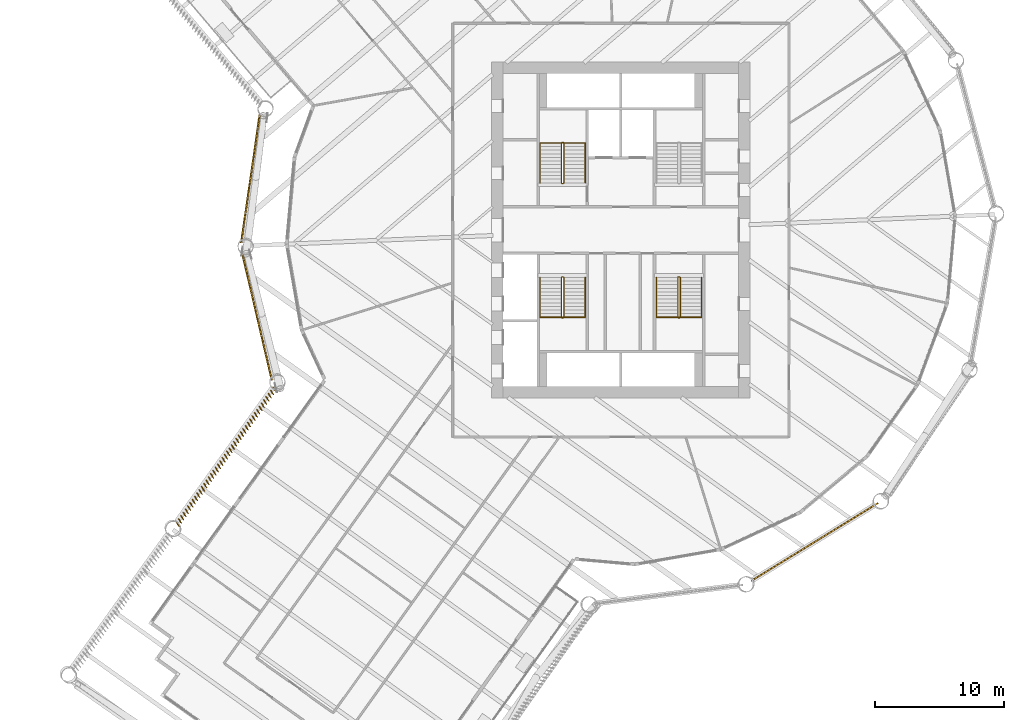
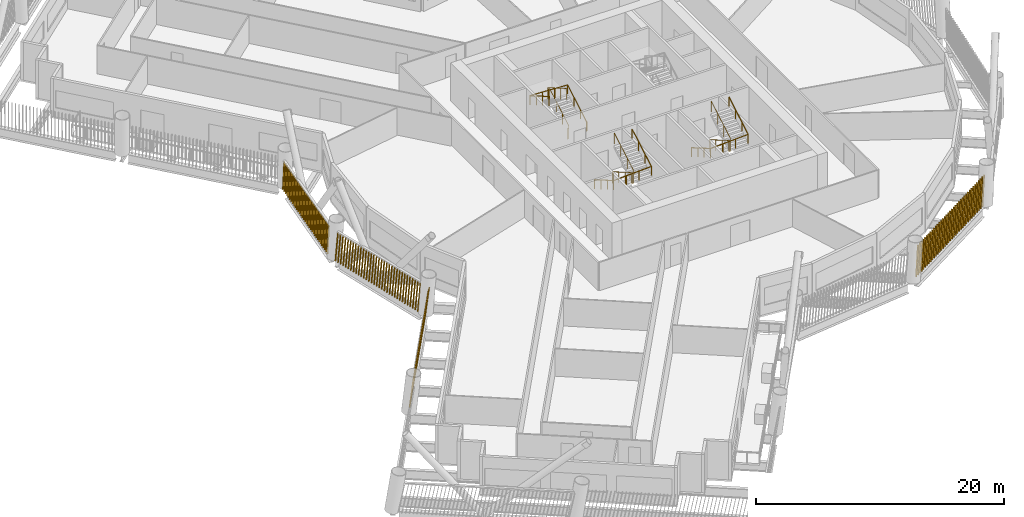
# One storey, part 18 of 21: 6 railings, 4 shading devices.
"""IFC4 building model written with IfcOpenShell, lengths in metres."""

from ifc_helpers import new_model, si_unit, direction, frame, frame_2d, origin, origin_2d, place, context, subcontext, project, spatial, rectangle, circle, composite_profile, extrude, material, type_object, element, save


model = new_model("IFC4")

# Units and contexts
model_context = context("Model", 3, precision=1e-05, world=origin(), true_north=direction((0.0, 1.0)))
body_context = subcontext(model_context, "Body", "Model", "MODEL_VIEW")
ifc_project = project(units=[si_unit("LENGTHUNIT", "METRE"), si_unit("AREAUNIT", "SQUARE_METRE"), si_unit("VOLUMEUNIT", "CUBIC_METRE"), si_unit("PLANEANGLEUNIT", "RADIAN"), si_unit("MASSUNIT", "GRAM", prefix="KILO")], contexts=[model_context])

# Site, building, storey
site_placement = place(None, origin())
site = spatial("IfcSite", under=ifc_project, at=site_placement, CompositionType="ELEMENT")
building_placement = place(site_placement, origin())
building = spatial("IfcBuilding", under=site, at=building_placement, Name="Tarsis Ring Headquarters", CompositionType="ELEMENT")
storey_placement = place(building_placement, frame((0.0, 0.0, 47.800048828125)))
storey = spatial("IfcBuildingStorey", under=building, at=storey_placement, Name="L09", CompositionType="ELEMENT", Elevation=47.800048828125)

# Railings
ifc_material_1 = material(Name="Steel S355", Category="steel")
railing_type_1 = type_object("IfcRailingType", Name="Core stair guard 1100", PredefinedType="GUARDRAIL", material=ifc_material_1)
railing_1_placement = place(storey_placement, frame((-4.5400390625, 3.610107421875, 0.0)))
element("IfcRailing", 1, at=railing_1_placement, inside=storey, type_object=railing_type_1, Name="L09 ST1 stair guard 1", PredefinedType="GUARDRAIL", context=body_context, shape_type="SweptSolid", body=[
    extrude(circle(Radius=0.02392578125, at=origin_2d()), frame((0.0, 0.0, 1.076171875), z_axis=(1.0, 0.0, 0.0), x_axis=(0.0, 1.0, 0.0)), (0.0, 0.0, 1.0), 0.080078125),
    extrude(circle(Radius=0.02392578125, at=origin_2d()), frame((0.080078125, 0.0, 1.076171875), z_axis=(0.282693820306, 0.281314826061, 0.917031173188), x_axis=(-0.705375805398, 0.708833529934, 0.0)), (0.0, 0.0, 1.0), 0.177001953125),
    extrude(circle(Radius=0.02392578125, at=origin_2d()), frame((0.130126953125, 0.0498046875, 1.23828125), z_axis=(0.0, 0.864890721111, 0.501960198159), x_axis=(-1.0, 0.0, 0.0)), (0.0, 0.0, 1.0), 3.561279296875),
    extrude(circle(Radius=0.02392578125, at=origin_2d()), frame((0.130126953125, 3.1298828125, 3.02587890625), z_axis=(-0.707106781187, 0.707106781187, 0.0), x_axis=(-0.707106781187, -0.707106781187, 0.0)), (0.0, 0.0, 1.0), 0.07080078125),
    extrude(circle(Radius=0.02392578125, at=origin_2d()), frame((0.080078125, 3.179931640625, 3.02587890625), z_axis=(-1.0, 0.0, 0.0), x_axis=(0.0, -1.0, 0.0)), (0.0, 0.0, 1.0), 0.080078125),
    extrude(circle(Radius=0.02392578125, at=origin_2d()), frame((0.0, 3.179931640625, 3.02587890625), z_axis=(-0.282227285176, -0.282227285176, 0.916894497205), x_axis=(0.707106781187, -0.707106781187, 0.0)), (0.0, 0.0, 1.0), 0.17724609375),
    extrude(circle(Radius=0.02392578125, at=origin_2d()), frame((-0.050048828125, 3.1298828125, 3.1884765625), z_axis=(0.0, -0.864920483161, 0.501908913857), x_axis=(1.0, 0.0, 0.0)), (0.0, 0.0, 1.0), 3.56103515625),
    extrude(circle(Radius=0.02099609375, at=origin_2d()), origin(), (0.0, 0.0, 1.0), 1.052001953125),
    extrude(circle(Radius=0.02099609375, at=origin_2d()), frame((0.080078125, 0.0, 0.0)), (0.0, 0.0, 1.0), 1.052001953125),
    extrude(circle(Radius=0.02099609375, at=origin_2d()), frame((0.130126953125, 0.0498046875, 0.162353515625)), (0.0, 0.0, 1.0), 1.052001953125),
    extrude(circle(Radius=0.02099609375, at=origin_2d()), frame((0.130126953125, 1.076416015625, 0.75830078125)), (0.0, 0.0, 1.0), 1.052001953125),
    extrude(circle(Radius=0.02099609375, at=origin_2d()), frame((0.130126953125, 2.103271484375, 1.35400390625)), (0.0, 0.0, 1.0), 1.052001953125),
    extrude(circle(Radius=0.02099609375, at=origin_2d()), frame((0.130126953125, 3.1298828125, 1.949951171875)), (0.0, 0.0, 1.0), 1.052001953125),
    extrude(circle(Radius=0.02099609375, at=origin_2d()), frame((0.080078125, 3.179931640625, 1.949951171875)), (0.0, 0.0, 1.0), 1.052001953125),
    extrude(circle(Radius=0.02099609375, at=origin_2d()), frame((0.0, 3.179931640625, 1.949951171875)), (0.0, 0.0, 1.0), 1.052001953125),
    extrude(circle(Radius=0.02099609375, at=origin_2d()), frame((-0.050048828125, 3.1298828125, 2.112548828125)), (0.0, 0.0, 1.0), 1.052001953125),
    extrude(circle(Radius=0.02099609375, at=origin_2d()), frame((-0.050048828125, 2.103271484375, 2.708251953125)), (0.0, 0.0, 1.0), 1.052001953125),
    extrude(circle(Radius=0.02099609375, at=origin_2d()), frame((-0.050048828125, 1.076416015625, 3.30419921875)), (0.0, 0.0, 1.0), 1.052001953125),
    extrude(circle(Radius=0.02099609375, at=origin_2d()), frame((-0.050048828125, 0.0498046875, 3.89990234375)), (0.0, 0.0, 1.0), 1.052001953125),
])
railing_2_placement = place(storey_placement, frame((-4.4599609375, -3.610107421875, 0.0)))
element("IfcRailing", 2, at=railing_2_placement, inside=storey, type_object=railing_type_1, Name="L09 ST3 stair guard 1", PredefinedType="GUARDRAIL", context=body_context, shape_type="SweptSolid", body=[
    extrude(circle(Radius=0.02392578125, at=origin_2d()), frame((0.0, 0.0, 1.076171875), z_axis=(-1.0, 0.0, 0.0), x_axis=(0.0, -1.0, 0.0)), (0.0, 0.0, 1.0), 0.080078125),
    extrude(circle(Radius=0.02392578125, at=origin_2d()), frame((-0.080078125, 0.0, 1.076171875), z_axis=(-0.282693820306, -0.281314826061, 0.917031173188), x_axis=(0.705375805398, -0.708833529934, 0.0)), (0.0, 0.0, 1.0), 0.177001953125),
    extrude(circle(Radius=0.02392578125, at=origin_2d()), frame((-0.130126953125, -0.0498046875, 1.23828125), z_axis=(0.0, -0.864890721111, 0.501960198159), x_axis=(1.0, 0.0, 0.0)), (0.0, 0.0, 1.0), 3.561279296875),
    extrude(circle(Radius=0.02392578125, at=origin_2d()), frame((-0.130126953125, -3.1298828125, 3.02587890625), z_axis=(0.707106781187, -0.707106781187, 0.0), x_axis=(0.707106781187, 0.707106781187, 0.0)), (0.0, 0.0, 1.0), 0.07080078125),
    extrude(circle(Radius=0.02392578125, at=origin_2d()), frame((-0.080078125, -3.179931640625, 3.02587890625), z_axis=(1.0, 0.0, 0.0), x_axis=(0.0, 1.0, 0.0)), (0.0, 0.0, 1.0), 0.080078125),
    extrude(circle(Radius=0.02392578125, at=origin_2d()), frame((0.0, -3.179931640625, 3.02587890625), z_axis=(0.282227285176, 0.282227285176, 0.916894497205), x_axis=(-0.707106781187, 0.707106781187, 0.0)), (0.0, 0.0, 1.0), 0.17724609375),
    extrude(circle(Radius=0.02392578125, at=origin_2d()), frame((0.050048828125, -3.1298828125, 3.1884765625), z_axis=(0.0, 0.864920483161, 0.501908913857), x_axis=(-1.0, 0.0, 0.0)), (0.0, 0.0, 1.0), 3.56103515625),
    extrude(circle(Radius=0.02099609375, at=origin_2d()), origin(), (0.0, 0.0, 1.0), 1.052001953125),
    extrude(circle(Radius=0.02099609375, at=origin_2d()), frame((-0.080078125, 0.0, 0.0)), (0.0, 0.0, 1.0), 1.052001953125),
    extrude(circle(Radius=0.02099609375, at=origin_2d()), frame((-0.130126953125, -0.0498046875, 0.162353515625)), (0.0, 0.0, 1.0), 1.052001953125),
    extrude(circle(Radius=0.02099609375, at=origin_2d()), frame((-0.130126953125, -1.076416015625, 0.75830078125)), (0.0, 0.0, 1.0), 1.052001953125),
    extrude(circle(Radius=0.02099609375, at=origin_2d()), frame((-0.130126953125, -2.103271484375, 1.35400390625)), (0.0, 0.0, 1.0), 1.052001953125),
    extrude(circle(Radius=0.02099609375, at=origin_2d()), frame((-0.130126953125, -3.1298828125, 1.949951171875)), (0.0, 0.0, 1.0), 1.052001953125),
    extrude(circle(Radius=0.02099609375, at=origin_2d()), frame((-0.080078125, -3.179931640625, 1.949951171875)), (0.0, 0.0, 1.0), 1.052001953125),
    extrude(circle(Radius=0.02099609375, at=origin_2d()), frame((0.0, -3.179931640625, 1.949951171875)), (0.0, 0.0, 1.0), 1.052001953125),
    extrude(circle(Radius=0.02099609375, at=origin_2d()), frame((0.050048828125, -3.1298828125, 2.112548828125)), (0.0, 0.0, 1.0), 1.052001953125),
    extrude(circle(Radius=0.02099609375, at=origin_2d()), frame((0.050048828125, -2.103271484375, 2.708251953125)), (0.0, 0.0, 1.0), 1.052001953125),
    extrude(circle(Radius=0.02099609375, at=origin_2d()), frame((0.050048828125, -1.076416015625, 3.30419921875)), (0.0, 0.0, 1.0), 1.052001953125),
    extrude(circle(Radius=0.02099609375, at=origin_2d()), frame((0.050048828125, -0.0498046875, 3.89990234375)), (0.0, 0.0, 1.0), 1.052001953125),
])
railing_3_placement = place(storey_placement, frame((4.5400390625, -3.610107421875, 0.0)))
element("IfcRailing", 3, at=railing_3_placement, inside=storey, type_object=railing_type_1, Name="L09 ST4 stair guard 1", PredefinedType="GUARDRAIL", context=body_context, shape_type="SweptSolid", body=[
    extrude(circle(Radius=0.02392578125, at=origin_2d()), frame((0.0, 0.0, 1.076171875), z_axis=(-1.0, 0.0, 0.0), x_axis=(0.0, -1.0, 0.0)), (0.0, 0.0, 1.0), 0.080078125),
    extrude(circle(Radius=0.02392578125, at=origin_2d()), frame((-0.080078125, 0.0, 1.076171875), z_axis=(-0.282693820306, -0.281314826061, 0.917031173188), x_axis=(0.705375805398, -0.708833529934, 0.0)), (0.0, 0.0, 1.0), 0.177001953125),
    extrude(circle(Radius=0.02392578125, at=origin_2d()), frame((-0.130126953125, -0.0498046875, 1.23828125), z_axis=(0.0, -0.864890721111, 0.501960198159), x_axis=(1.0, 0.0, 0.0)), (0.0, 0.0, 1.0), 3.561279296875),
    extrude(circle(Radius=0.02392578125, at=origin_2d()), frame((-0.130126953125, -3.1298828125, 3.02587890625), z_axis=(0.707106781187, -0.707106781187, 0.0), x_axis=(0.707106781187, 0.707106781187, 0.0)), (0.0, 0.0, 1.0), 0.07080078125),
    extrude(circle(Radius=0.02392578125, at=origin_2d()), frame((-0.080078125, -3.179931640625, 3.02587890625), z_axis=(1.0, 0.0, 0.0), x_axis=(0.0, 1.0, 0.0)), (0.0, 0.0, 1.0), 0.080078125),
    extrude(circle(Radius=0.02392578125, at=origin_2d()), frame((0.0, -3.179931640625, 3.02587890625), z_axis=(0.282227285176, 0.282227285176, 0.916894497205), x_axis=(-0.707106781187, 0.707106781187, 0.0)), (0.0, 0.0, 1.0), 0.17724609375),
    extrude(circle(Radius=0.02392578125, at=origin_2d()), frame((0.050048828125, -3.1298828125, 3.1884765625), z_axis=(0.0, 0.864920483161, 0.501908913857), x_axis=(-1.0, 0.0, 0.0)), (0.0, 0.0, 1.0), 3.56103515625),
    extrude(circle(Radius=0.02099609375, at=origin_2d()), origin(), (0.0, 0.0, 1.0), 1.052001953125),
    extrude(circle(Radius=0.02099609375, at=origin_2d()), frame((-0.080078125, 0.0, 0.0)), (0.0, 0.0, 1.0), 1.052001953125),
    extrude(circle(Radius=0.02099609375, at=origin_2d()), frame((-0.130126953125, -0.0498046875, 0.162353515625)), (0.0, 0.0, 1.0), 1.052001953125),
    extrude(circle(Radius=0.02099609375, at=origin_2d()), frame((-0.130126953125, -1.076416015625, 0.75830078125)), (0.0, 0.0, 1.0), 1.052001953125),
    extrude(circle(Radius=0.02099609375, at=origin_2d()), frame((-0.130126953125, -2.103271484375, 1.35400390625)), (0.0, 0.0, 1.0), 1.052001953125),
    extrude(circle(Radius=0.02099609375, at=origin_2d()), frame((-0.130126953125, -3.1298828125, 1.949951171875)), (0.0, 0.0, 1.0), 1.052001953125),
    extrude(circle(Radius=0.02099609375, at=origin_2d()), frame((-0.080078125, -3.179931640625, 1.949951171875)), (0.0, 0.0, 1.0), 1.052001953125),
    extrude(circle(Radius=0.02099609375, at=origin_2d()), frame((0.0, -3.179931640625, 1.949951171875)), (0.0, 0.0, 1.0), 1.052001953125),
    extrude(circle(Radius=0.02099609375, at=origin_2d()), frame((0.050048828125, -3.1298828125, 2.112548828125)), (0.0, 0.0, 1.0), 1.052001953125),
    extrude(circle(Radius=0.02099609375, at=origin_2d()), frame((0.050048828125, -2.103271484375, 2.708251953125)), (0.0, 0.0, 1.0), 1.052001953125),
    extrude(circle(Radius=0.02099609375, at=origin_2d()), frame((0.050048828125, -1.076416015625, 3.30419921875)), (0.0, 0.0, 1.0), 1.052001953125),
    extrude(circle(Radius=0.02099609375, at=origin_2d()), frame((0.050048828125, -0.0498046875, 3.89990234375)), (0.0, 0.0, 1.0), 1.052001953125),
])
railing_type_2 = type_object("IfcRailingType", Name="Core stair handrail 900", PredefinedType="HANDRAIL", material=ifc_material_1)
railing_4_placement = place(storey_placement, frame((-2.75, 3.659912109375, 0.162353515625)))
element("IfcRailing", 4, at=railing_4_placement, inside=storey, type_object=railing_type_2, Name="L09 ST1 stair handrail 1", PredefinedType="HANDRAIL", context=body_context, shape_type="SweptSolid", body=[
    extrude(circle(Radius=0.02392578125, at=origin_2d()), frame((0.0, 0.0, 0.8759765625), z_axis=(0.0, 0.864890721111, 0.501960198159), x_axis=(-1.0, 0.0, 0.0)), (0.0, 0.0, 1.0), 3.561279296875),
    extrude(circle(Radius=0.02392578125, at=origin_2d()), frame((0.0, 3.080078125, 2.66357421875), z_axis=(-0.998922641604, 0.0, 0.046406422943), x_axis=(0.0, -1.0, 0.0)), (0.0, 0.0, 1.0), 3.503662109375),
    extrude(circle(Radius=0.02392578125, at=origin_2d()), frame((-3.5, 3.080078125, 2.826171875), z_axis=(0.0, -0.864920483161, 0.501908913857), x_axis=(1.0, 0.0, 0.0)), (0.0, 0.0, 1.0), 3.56103515625),
    extrude(circle(Radius=0.02099609375, at=origin_2d()), origin(), (0.0, 0.0, 1.0), 0.851806640625),
    extrude(circle(Radius=0.02099609375, at=origin_2d()), frame((0.0, 1.026611328125, 0.595947265625)), (0.0, 0.0, 1.0), 0.851806640625),
    extrude(circle(Radius=0.02099609375, at=origin_2d()), frame((0.0, 2.053466796875, 1.191650390625)), (0.0, 0.0, 1.0), 0.851806640625),
    extrude(circle(Radius=0.02099609375, at=origin_2d()), frame((0.0, 3.080078125, 1.78759765625)), (0.0, 0.0, 1.0), 0.851806640625),
    extrude(circle(Radius=0.02099609375, at=origin_2d()), frame((-1.166748046875, 3.080078125, 1.841796875)), (0.0, 0.0, 1.0), 0.851806640625),
    extrude(circle(Radius=0.02099609375, at=origin_2d()), frame((-2.333251953125, 3.080078125, 1.89599609375)), (0.0, 0.0, 1.0), 0.851806640625),
    extrude(circle(Radius=0.02099609375, at=origin_2d()), frame((-3.5, 3.080078125, 1.9501953125)), (0.0, 0.0, 1.0), 0.851806640625),
    extrude(circle(Radius=0.02099609375, at=origin_2d()), frame((-3.5, 2.053466796875, 2.5458984375)), (0.0, 0.0, 1.0), 0.851806640625),
    extrude(circle(Radius=0.02099609375, at=origin_2d()), frame((-3.5, 1.026611328125, 3.141845703125)), (0.0, 0.0, 1.0), 0.851806640625),
    extrude(circle(Radius=0.02099609375, at=origin_2d()), frame((-3.5, 0.0, 3.737548828125)), (0.0, 0.0, 1.0), 0.851806640625),
])
railing_5_placement = place(storey_placement, frame((-6.25, -3.659912109375, 0.162353515625)))
element("IfcRailing", 5, at=railing_5_placement, inside=storey, type_object=railing_type_2, Name="L09 ST3 stair handrail 1", PredefinedType="HANDRAIL", context=body_context, shape_type="SweptSolid", body=[
    extrude(circle(Radius=0.02392578125, at=origin_2d()), frame((0.0, 0.0, 0.8759765625), z_axis=(0.0, -0.864890721111, 0.501960198159), x_axis=(1.0, 0.0, 0.0)), (0.0, 0.0, 1.0), 3.561279296875),
    extrude(circle(Radius=0.02392578125, at=origin_2d()), frame((0.0, -3.080078125, 2.66357421875), z_axis=(0.998922641604, 0.0, 0.046406422943), x_axis=(0.0, 1.0, 0.0)), (0.0, 0.0, 1.0), 3.503662109375),
    extrude(circle(Radius=0.02392578125, at=origin_2d()), frame((3.5, -3.080078125, 2.826171875), z_axis=(0.0, 0.864920483161, 0.501908913857), x_axis=(-1.0, 0.0, 0.0)), (0.0, 0.0, 1.0), 3.56103515625),
    extrude(circle(Radius=0.02099609375, at=origin_2d()), origin(), (0.0, 0.0, 1.0), 0.851806640625),
    extrude(circle(Radius=0.02099609375, at=origin_2d()), frame((0.0, -1.026611328125, 0.595947265625)), (0.0, 0.0, 1.0), 0.851806640625),
    extrude(circle(Radius=0.02099609375, at=origin_2d()), frame((0.0, -2.053466796875, 1.191650390625)), (0.0, 0.0, 1.0), 0.851806640625),
    extrude(circle(Radius=0.02099609375, at=origin_2d()), frame((0.0, -3.080078125, 1.78759765625)), (0.0, 0.0, 1.0), 0.851806640625),
    extrude(circle(Radius=0.02099609375, at=origin_2d()), frame((1.166748046875, -3.080078125, 1.841796875)), (0.0, 0.0, 1.0), 0.851806640625),
    extrude(circle(Radius=0.02099609375, at=origin_2d()), frame((2.333251953125, -3.080078125, 1.89599609375)), (0.0, 0.0, 1.0), 0.851806640625),
    extrude(circle(Radius=0.02099609375, at=origin_2d()), frame((3.5, -3.080078125, 1.9501953125)), (0.0, 0.0, 1.0), 0.851806640625),
    extrude(circle(Radius=0.02099609375, at=origin_2d()), frame((3.5, -2.053466796875, 2.5458984375)), (0.0, 0.0, 1.0), 0.851806640625),
    extrude(circle(Radius=0.02099609375, at=origin_2d()), frame((3.5, -1.026611328125, 3.141845703125)), (0.0, 0.0, 1.0), 0.851806640625),
    extrude(circle(Radius=0.02099609375, at=origin_2d()), frame((3.5, 0.0, 3.737548828125)), (0.0, 0.0, 1.0), 0.851806640625),
])
railing_6_placement = place(storey_placement, frame((2.75, -3.659912109375, 0.162353515625)))
element("IfcRailing", 6, at=railing_6_placement, inside=storey, type_object=railing_type_2, Name="L09 ST4 stair handrail 1", PredefinedType="HANDRAIL", context=body_context, shape_type="SweptSolid", body=[
    extrude(circle(Radius=0.02392578125, at=origin_2d()), frame((0.0, 0.0, 0.8759765625), z_axis=(0.0, -0.864890721111, 0.501960198159), x_axis=(1.0, 0.0, 0.0)), (0.0, 0.0, 1.0), 3.561279296875),
    extrude(circle(Radius=0.02392578125, at=origin_2d()), frame((0.0, -3.080078125, 2.66357421875), z_axis=(0.998922641604, 0.0, 0.046406422943), x_axis=(0.0, 1.0, 0.0)), (0.0, 0.0, 1.0), 3.503662109375),
    extrude(circle(Radius=0.02392578125, at=origin_2d()), frame((3.5, -3.080078125, 2.826171875), z_axis=(0.0, 0.864920483161, 0.501908913857), x_axis=(-1.0, 0.0, 0.0)), (0.0, 0.0, 1.0), 3.56103515625),
    extrude(circle(Radius=0.02099609375, at=origin_2d()), origin(), (0.0, 0.0, 1.0), 0.851806640625),
    extrude(circle(Radius=0.02099609375, at=origin_2d()), frame((0.0, -1.026611328125, 0.595947265625)), (0.0, 0.0, 1.0), 0.851806640625),
    extrude(circle(Radius=0.02099609375, at=origin_2d()), frame((0.0, -2.053466796875, 1.191650390625)), (0.0, 0.0, 1.0), 0.851806640625),
    extrude(circle(Radius=0.02099609375, at=origin_2d()), frame((0.0, -3.080078125, 1.78759765625)), (0.0, 0.0, 1.0), 0.851806640625),
    extrude(circle(Radius=0.02099609375, at=origin_2d()), frame((1.166748046875, -3.080078125, 1.841796875)), (0.0, 0.0, 1.0), 0.851806640625),
    extrude(circle(Radius=0.02099609375, at=origin_2d()), frame((2.333251953125, -3.080078125, 1.89599609375)), (0.0, 0.0, 1.0), 0.851806640625),
    extrude(circle(Radius=0.02099609375, at=origin_2d()), frame((3.5, -3.080078125, 1.9501953125)), (0.0, 0.0, 1.0), 0.851806640625),
    extrude(circle(Radius=0.02099609375, at=origin_2d()), frame((3.5, -2.053466796875, 2.5458984375)), (0.0, 0.0, 1.0), 0.851806640625),
    extrude(circle(Radius=0.02099609375, at=origin_2d()), frame((3.5, -1.026611328125, 3.141845703125)), (0.0, 0.0, 1.0), 0.851806640625),
    extrude(circle(Radius=0.02099609375, at=origin_2d()), frame((3.5, 0.0, 3.737548828125)), (0.0, 0.0, 1.0), 0.851806640625),
])

# Shading devices
ifc_material_2 = material(Name="Terracotta baguette", Category="masonry")
shading_device_type = type_object("IfcShadingDeviceType", Name="Terracotta baguette screen", PredefinedType="USERDEFINED", material=ifc_material_2)
shading_device_1_placement = place(storey_placement, frame((-29.275146484375, -1.788330078125, 0.0), z_axis=(0.0, 0.0, 1.0), x_axis=(0.226408494691, -0.974041224235, 0.0)))
element("IfcShadingDevice", 7, at=shading_device_1_placement, inside=storey, type_object=shading_device_type, Name="Baguette screen L09-00", ObjectType="Terracotta baguette screen", PredefinedType="USERDEFINED", context=body_context, shape_type="SweptSolid", body=[
    extrude(composite_profile([rectangle(XDim=0.06005859375, YDim=0.1201171875, at=frame_2d((0.030029296875, 0.0))), rectangle(XDim=0.06005859375, YDim=0.1201171875, at=frame_2d((0.33349609375, 0.0))), rectangle(XDim=0.06005859375, YDim=0.1201171875, at=frame_2d((0.636962890625, 0.0))), rectangle(XDim=0.06005859375, YDim=0.1201171875, at=frame_2d((0.9404296875, 0.0))), rectangle(XDim=0.06005859375, YDim=0.1201171875, at=frame_2d((1.243896484375, 0.0))), rectangle(XDim=0.06005859375, YDim=0.1201171875, at=frame_2d((1.54736328125, 0.0))), rectangle(XDim=0.06005859375, YDim=0.1201171875, at=frame_2d((1.85107421875, 0.0))), rectangle(XDim=0.06005859375, YDim=0.1201171875, at=frame_2d((2.154541015625, 0.0))), rectangle(XDim=0.06005859375, YDim=0.1201171875, at=frame_2d((2.4580078125, 0.0))), rectangle(XDim=0.06005859375, YDim=0.1201171875, at=frame_2d((2.761474609375, 0.0))), rectangle(XDim=0.06005859375, YDim=0.1201171875, at=frame_2d((3.06494140625, 0.0))), rectangle(XDim=0.06005859375, YDim=0.1201171875, at=frame_2d((3.368408203125, 0.0))), rectangle(XDim=0.06005859375, YDim=0.1201171875, at=frame_2d((3.671875, 0.0))), rectangle(XDim=0.06005859375, YDim=0.1201171875, at=frame_2d((3.975341796875, 0.0))), rectangle(XDim=0.06005859375, YDim=0.1201171875, at=frame_2d((4.27880859375, 0.0))), rectangle(XDim=0.06005859375, YDim=0.1201171875, at=frame_2d((4.582275390625, 0.0))), rectangle(XDim=0.06005859375, YDim=0.1201171875, at=frame_2d((4.8857421875, 0.0))), rectangle(XDim=0.06005859375, YDim=0.1201171875, at=frame_2d((5.189453125, 0.0))), rectangle(XDim=0.06005859375, YDim=0.1201171875, at=frame_2d((5.492919921875, 0.0))), rectangle(XDim=0.06005859375, YDim=0.1201171875, at=frame_2d((5.79638671875, 0.0))), rectangle(XDim=0.06005859375, YDim=0.1201171875, at=frame_2d((6.099853515625, 0.0))), rectangle(XDim=0.06005859375, YDim=0.1201171875, at=frame_2d((6.4033203125, 0.0))), rectangle(XDim=0.06005859375, YDim=0.1201171875, at=frame_2d((6.706787109375, 0.0))), rectangle(XDim=0.06005859375, YDim=0.1201171875, at=frame_2d((7.01025390625, 0.0))), rectangle(XDim=0.06005859375, YDim=0.1201171875, at=frame_2d((7.313720703125, 0.0))), rectangle(XDim=0.06005859375, YDim=0.1201171875, at=frame_2d((7.6171875, 0.0))), rectangle(XDim=0.06005859375, YDim=0.1201171875, at=frame_2d((7.920654296875, 0.0))), rectangle(XDim=0.06005859375, YDim=0.1201171875, at=frame_2d((8.224365234375, 0.0))), rectangle(XDim=0.06005859375, YDim=0.1201171875, at=frame_2d((8.52783203125, 0.0))), rectangle(XDim=0.06005859375, YDim=0.1201171875, at=frame_2d((8.831298828125, 0.0))), rectangle(XDim=0.06005859375, YDim=0.1201171875, at=frame_2d((9.134765625, 0.0))), rectangle(XDim=0.06005859375, YDim=0.1201171875, at=frame_2d((9.438232421875, 0.0))), rectangle(XDim=0.06005859375, YDim=0.1201171875, at=frame_2d((9.74169921875, 0.0)))]), origin(), (0.102032288593, 0.000533210713, 0.994780944616), 2.968017578125),
])
shading_device_2_placement = place(storey_placement, frame((-26.87548828125, -12.114990234375, 0.0), z_axis=(0.0, 0.0, 1.0), x_axis=(-0.582133328287, -0.813101973622, 0.0)))
element("IfcShadingDevice", 8, at=shading_device_2_placement, inside=storey, type_object=shading_device_type, Name="Baguette screen L09-01", ObjectType="Terracotta baguette screen", PredefinedType="USERDEFINED", context=body_context, shape_type="SweptSolid", body=[
    extrude(composite_profile([rectangle(XDim=0.06005859375, YDim=0.1201171875, at=frame_2d((0.030029296875, 0.0))), rectangle(XDim=0.06005859375, YDim=0.1201171875, at=frame_2d((0.335693359375, 0.0))), rectangle(XDim=0.06005859375, YDim=0.1201171875, at=frame_2d((0.6416015625, 0.0))), rectangle(XDim=0.06005859375, YDim=0.1201171875, at=frame_2d((0.947265625, 0.0))), rectangle(XDim=0.06005859375, YDim=0.1201171875, at=frame_2d((1.253173828125, 0.0))), rectangle(XDim=0.06005859375, YDim=0.1201171875, at=frame_2d((1.558837890625, 0.0))), rectangle(XDim=0.06005859375, YDim=0.1201171875, at=frame_2d((1.864501953125, 0.0))), rectangle(XDim=0.06005859375, YDim=0.1201171875, at=frame_2d((2.17041015625, 0.0))), rectangle(XDim=0.06005859375, YDim=0.1201171875, at=frame_2d((2.47607421875, 0.0))), rectangle(XDim=0.06005859375, YDim=0.1201171875, at=frame_2d((2.781982421875, 0.0))), rectangle(XDim=0.06005859375, YDim=0.1201171875, at=frame_2d((3.087646484375, 0.0))), rectangle(XDim=0.06005859375, YDim=0.1201171875, at=frame_2d((3.393310546875, 0.0))), rectangle(XDim=0.06005859375, YDim=0.1201171875, at=frame_2d((3.69921875, 0.0))), rectangle(XDim=0.06005859375, YDim=0.1201171875, at=frame_2d((4.0048828125, 0.0))), rectangle(XDim=0.06005859375, YDim=0.1201171875, at=frame_2d((4.310791015625, 0.0))), rectangle(XDim=0.06005859375, YDim=0.1201171875, at=frame_2d((4.616455078125, 0.0))), rectangle(XDim=0.06005859375, YDim=0.1201171875, at=frame_2d((4.922119140625, 0.0))), rectangle(XDim=0.06005859375, YDim=0.1201171875, at=frame_2d((5.22802734375, 0.0))), rectangle(XDim=0.06005859375, YDim=0.1201171875, at=frame_2d((5.53369140625, 0.0))), rectangle(XDim=0.06005859375, YDim=0.1201171875, at=frame_2d((5.839599609375, 0.0))), rectangle(XDim=0.06005859375, YDim=0.1201171875, at=frame_2d((6.145263671875, 0.0))), rectangle(XDim=0.06005859375, YDim=0.1201171875, at=frame_2d((6.451171875, 0.0))), rectangle(XDim=0.06005859375, YDim=0.1201171875, at=frame_2d((6.7568359375, 0.0))), rectangle(XDim=0.06005859375, YDim=0.1201171875, at=frame_2d((7.0625, 0.0))), rectangle(XDim=0.06005859375, YDim=0.1201171875, at=frame_2d((7.368408203125, 0.0))), rectangle(XDim=0.06005859375, YDim=0.1201171875, at=frame_2d((7.674072265625, 0.0))), rectangle(XDim=0.06005859375, YDim=0.1201171875, at=frame_2d((7.97998046875, 0.0))), rectangle(XDim=0.06005859375, YDim=0.1201171875, at=frame_2d((8.28564453125, 0.0))), rectangle(XDim=0.06005859375, YDim=0.1201171875, at=frame_2d((8.59130859375, 0.0))), rectangle(XDim=0.06005859375, YDim=0.1201171875, at=frame_2d((8.897216796875, 0.0))), rectangle(XDim=0.06005859375, YDim=0.1201171875, at=frame_2d((9.202880859375, 0.0))), rectangle(XDim=0.06005859375, YDim=0.1201171875, at=frame_2d((9.5087890625, 0.0))), rectangle(XDim=0.06005859375, YDim=0.1201171875, at=frame_2d((9.814453125, 0.0))), rectangle(XDim=0.06005859375, YDim=0.1201171875, at=frame_2d((10.1201171875, 0.0))), rectangle(XDim=0.06005859375, YDim=0.1201171875, at=frame_2d((10.426025390625, 0.0))), rectangle(XDim=0.06005859375, YDim=0.1201171875, at=frame_2d((10.731689453125, 0.0))), rectangle(XDim=0.06005859375, YDim=0.1201171875, at=frame_2d((11.03759765625, 0.0))), rectangle(XDim=0.06005859375, YDim=0.1201171875, at=frame_2d((11.34326171875, 0.0))), rectangle(XDim=0.06005859375, YDim=0.1201171875, at=frame_2d((11.64892578125, 0.0))), rectangle(XDim=0.06005859375, YDim=0.1201171875, at=frame_2d((11.954833984375, 0.0))), rectangle(XDim=0.06005859375, YDim=0.1201171875, at=frame_2d((12.260498046875, 0.0))), rectangle(XDim=0.06005859375, YDim=0.1201171875, at=frame_2d((12.56640625, 0.0))), rectangle(XDim=0.06005859375, YDim=0.1201171875, at=frame_2d((12.8720703125, 0.0)))]), origin(), (0.051495568824, 0.112702118898, 0.992293524511), 2.9755859375),
])
shading_device_3_placement = place(storey_placement, frame((10.061767578125, -27.142333984375, 0.0), z_axis=(0.0, 0.0, 1.0), x_axis=(0.852240911557, 0.523168746609, 0.0)))
element("IfcShadingDevice", 9, at=shading_device_3_placement, inside=storey, type_object=shading_device_type, Name="Baguette screen L09-08", ObjectType="Terracotta baguette screen", PredefinedType="USERDEFINED", context=body_context, shape_type="SweptSolid", body=[
    extrude(composite_profile([rectangle(XDim=0.06005859375, YDim=0.1201171875, at=frame_2d((0.030029296875, 0.0))), rectangle(XDim=0.06005859375, YDim=0.1201171875, at=frame_2d((0.33251953125, 0.0))), rectangle(XDim=0.06005859375, YDim=0.1201171875, at=frame_2d((0.634765625, 0.0))), rectangle(XDim=0.06005859375, YDim=0.1201171875, at=frame_2d((0.937255859375, 0.0))), rectangle(XDim=0.06005859375, YDim=0.1201171875, at=frame_2d((1.239501953125, 0.0))), rectangle(XDim=0.06005859375, YDim=0.1201171875, at=frame_2d((1.5419921875, 0.0))), rectangle(XDim=0.06005859375, YDim=0.1201171875, at=frame_2d((1.844482421875, 0.0))), rectangle(XDim=0.06005859375, YDim=0.1201171875, at=frame_2d((2.146728515625, 0.0))), rectangle(XDim=0.06005859375, YDim=0.1201171875, at=frame_2d((2.44921875, 0.0))), rectangle(XDim=0.06005859375, YDim=0.1201171875, at=frame_2d((2.751708984375, 0.0))), rectangle(XDim=0.06005859375, YDim=0.1201171875, at=frame_2d((3.053955078125, 0.0))), rectangle(XDim=0.06005859375, YDim=0.1201171875, at=frame_2d((3.3564453125, 0.0))), rectangle(XDim=0.06005859375, YDim=0.1201171875, at=frame_2d((3.65869140625, 0.0))), rectangle(XDim=0.06005859375, YDim=0.1201171875, at=frame_2d((3.961181640625, 0.0))), rectangle(XDim=0.06005859375, YDim=0.1201171875, at=frame_2d((4.263671875, 0.0))), rectangle(XDim=0.06005859375, YDim=0.1201171875, at=frame_2d((4.56591796875, 0.0))), rectangle(XDim=0.06005859375, YDim=0.1201171875, at=frame_2d((4.868408203125, 0.0))), rectangle(XDim=0.06005859375, YDim=0.1201171875, at=frame_2d((5.1708984375, 0.0))), rectangle(XDim=0.06005859375, YDim=0.1201171875, at=frame_2d((5.47314453125, 0.0))), rectangle(XDim=0.06005859375, YDim=0.1201171875, at=frame_2d((5.775634765625, 0.0))), rectangle(XDim=0.06005859375, YDim=0.1201171875, at=frame_2d((6.077880859375, 0.0))), rectangle(XDim=0.06005859375, YDim=0.1201171875, at=frame_2d((6.38037109375, 0.0))), rectangle(XDim=0.06005859375, YDim=0.1201171875, at=frame_2d((6.682861328125, 0.0))), rectangle(XDim=0.06005859375, YDim=0.1201171875, at=frame_2d((6.985107421875, 0.0))), rectangle(XDim=0.06005859375, YDim=0.1201171875, at=frame_2d((7.28759765625, 0.0))), rectangle(XDim=0.06005859375, YDim=0.1201171875, at=frame_2d((7.590087890625, 0.0))), rectangle(XDim=0.06005859375, YDim=0.1201171875, at=frame_2d((7.892333984375, 0.0))), rectangle(XDim=0.06005859375, YDim=0.1201171875, at=frame_2d((8.19482421875, 0.0))), rectangle(XDim=0.06005859375, YDim=0.1201171875, at=frame_2d((8.4970703125, 0.0))), rectangle(XDim=0.06005859375, YDim=0.1201171875, at=frame_2d((8.799560546875, 0.0))), rectangle(XDim=0.06005859375, YDim=0.1201171875, at=frame_2d((9.10205078125, 0.0))), rectangle(XDim=0.06005859375, YDim=0.1201171875, at=frame_2d((9.404296875, 0.0))), rectangle(XDim=0.06005859375, YDim=0.1201171875, at=frame_2d((9.706787109375, 0.0))), rectangle(XDim=0.06005859375, YDim=0.1201171875, at=frame_2d((10.00927734375, 0.0))), rectangle(XDim=0.06005859375, YDim=0.1201171875, at=frame_2d((10.3115234375, 0.0))), rectangle(XDim=0.06005859375, YDim=0.1201171875, at=frame_2d((10.614013671875, 0.0))), rectangle(XDim=0.06005859375, YDim=0.1201171875, at=frame_2d((10.916259765625, 0.0))), rectangle(XDim=0.06005859375, YDim=0.1201171875, at=frame_2d((11.21875, 0.0)))]), origin(), (0.100201808618, 0.000523002605, 0.994966996447), 2.967529296875),
])
shading_device_4_placement = place(storey_placement, frame((-27.9140625, 9.002197265625, 0.0), z_axis=(0.0, 0.0, 1.0), x_axis=(-0.144081347124, -0.989556788088, 0.0)))
element("IfcShadingDevice", 10, at=shading_device_4_placement, inside=storey, type_object=shading_device_type, Name="Baguette screen L09-21", ObjectType="Terracotta baguette screen", PredefinedType="USERDEFINED", context=body_context, shape_type="SweptSolid", body=[
    extrude(composite_profile([rectangle(XDim=0.06005859375, YDim=0.1201171875, at=frame_2d((0.030029296875, 0.0))), rectangle(XDim=0.06005859375, YDim=0.1201171875, at=frame_2d((0.33349609375, 0.0))), rectangle(XDim=0.06005859375, YDim=0.1201171875, at=frame_2d((0.636962890625, 0.0))), rectangle(XDim=0.06005859375, YDim=0.1201171875, at=frame_2d((0.9404296875, 0.0))), rectangle(XDim=0.06005859375, YDim=0.1201171875, at=frame_2d((1.243896484375, 0.0))), rectangle(XDim=0.06005859375, YDim=0.1201171875, at=frame_2d((1.54736328125, 0.0))), rectangle(XDim=0.06005859375, YDim=0.1201171875, at=frame_2d((1.85107421875, 0.0))), rectangle(XDim=0.06005859375, YDim=0.1201171875, at=frame_2d((2.154541015625, 0.0))), rectangle(XDim=0.06005859375, YDim=0.1201171875, at=frame_2d((2.4580078125, 0.0))), rectangle(XDim=0.06005859375, YDim=0.1201171875, at=frame_2d((2.761474609375, 0.0))), rectangle(XDim=0.06005859375, YDim=0.1201171875, at=frame_2d((3.06494140625, 0.0))), rectangle(XDim=0.06005859375, YDim=0.1201171875, at=frame_2d((3.368408203125, 0.0))), rectangle(XDim=0.06005859375, YDim=0.1201171875, at=frame_2d((3.671875, 0.0))), rectangle(XDim=0.06005859375, YDim=0.1201171875, at=frame_2d((3.975341796875, 0.0))), rectangle(XDim=0.06005859375, YDim=0.1201171875, at=frame_2d((4.27880859375, 0.0))), rectangle(XDim=0.06005859375, YDim=0.1201171875, at=frame_2d((4.582275390625, 0.0))), rectangle(XDim=0.06005859375, YDim=0.1201171875, at=frame_2d((4.8857421875, 0.0))), rectangle(XDim=0.06005859375, YDim=0.1201171875, at=frame_2d((5.189453125, 0.0))), rectangle(XDim=0.06005859375, YDim=0.1201171875, at=frame_2d((5.492919921875, 0.0))), rectangle(XDim=0.06005859375, YDim=0.1201171875, at=frame_2d((5.79638671875, 0.0))), rectangle(XDim=0.06005859375, YDim=0.1201171875, at=frame_2d((6.099853515625, 0.0))), rectangle(XDim=0.06005859375, YDim=0.1201171875, at=frame_2d((6.4033203125, 0.0))), rectangle(XDim=0.06005859375, YDim=0.1201171875, at=frame_2d((6.706787109375, 0.0))), rectangle(XDim=0.06005859375, YDim=0.1201171875, at=frame_2d((7.01025390625, 0.0))), rectangle(XDim=0.06005859375, YDim=0.1201171875, at=frame_2d((7.313720703125, 0.0))), rectangle(XDim=0.06005859375, YDim=0.1201171875, at=frame_2d((7.6171875, 0.0))), rectangle(XDim=0.06005859375, YDim=0.1201171875, at=frame_2d((7.920654296875, 0.0))), rectangle(XDim=0.06005859375, YDim=0.1201171875, at=frame_2d((8.224365234375, 0.0))), rectangle(XDim=0.06005859375, YDim=0.1201171875, at=frame_2d((8.52783203125, 0.0))), rectangle(XDim=0.06005859375, YDim=0.1201171875, at=frame_2d((8.831298828125, 0.0))), rectangle(XDim=0.06005859375, YDim=0.1201171875, at=frame_2d((9.134765625, 0.0))), rectangle(XDim=0.06005859375, YDim=0.1201171875, at=frame_2d((9.438232421875, 0.0))), rectangle(XDim=0.06005859375, YDim=0.1201171875, at=frame_2d((9.74169921875, 0.0)))]), origin(), (0.102030499163, 0.000532585952, 0.994781128486), 2.968017578125),
])

save(model, "model.ifc")
